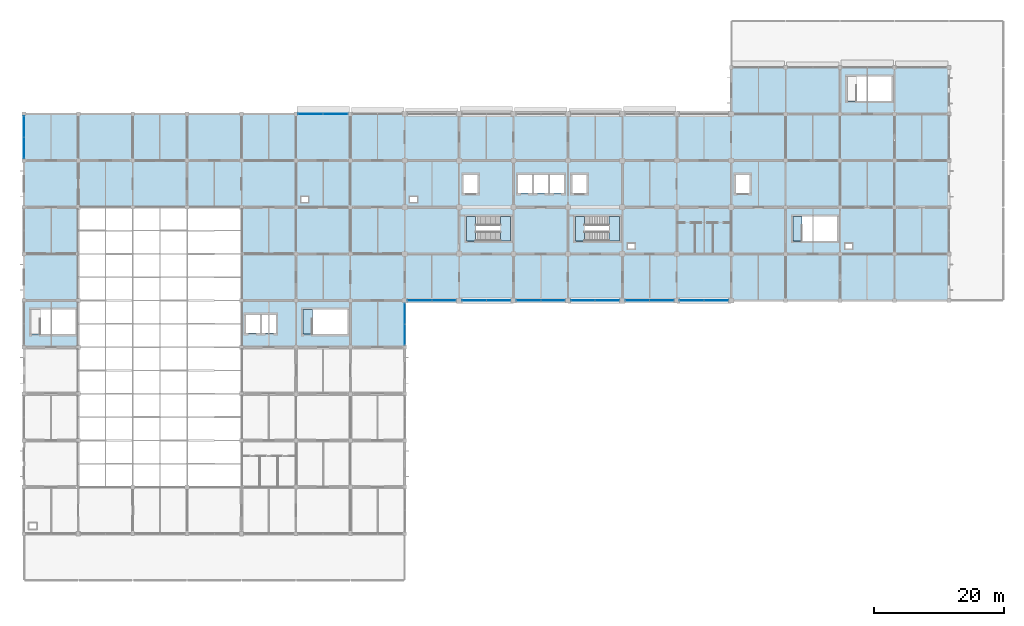
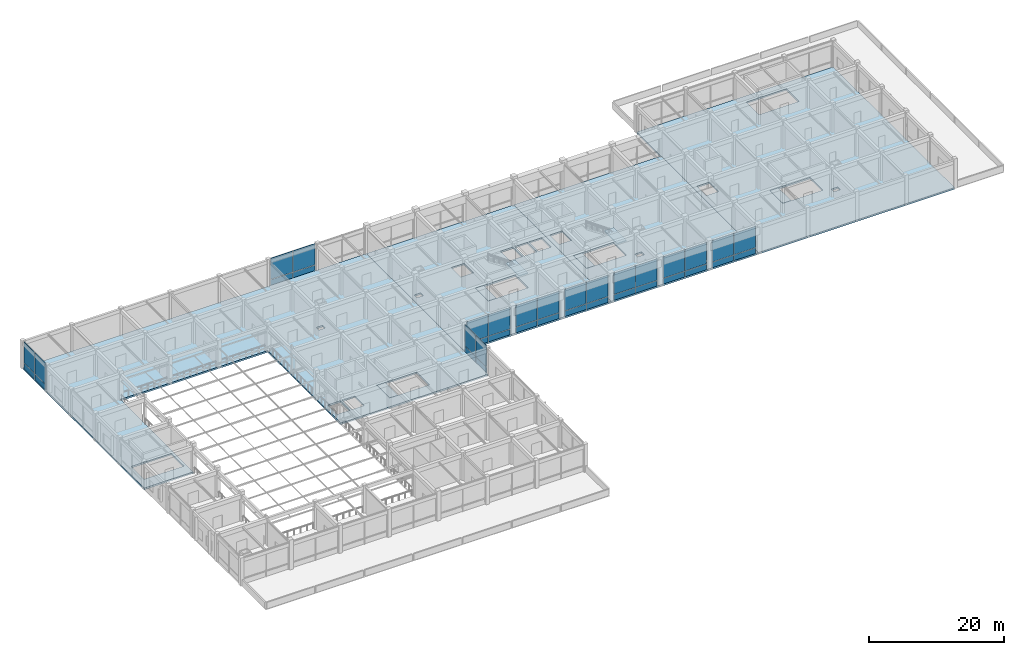
# One storey, part 21 of 38: 36 plates, 10 slabs, 11 elements without a shape of their own.
"""IFC4 building model written with IfcOpenShell, lengths in metres."""

from ifc_helpers import new_model, si_unit, derived_unit, direction, frame, origin, origin_2d, place, context, subcontext, project, spatial, polyline, rectangle, outline, extrude, material, layer, layer_set, type_object, element, aggregate, save


model = new_model("IFC4")

# Units and contexts
model_context = context("Model", 3, precision=1e-05, world=origin(), true_north=direction((0.0, 1.0)))
body_context = subcontext(model_context, "Body", "Model", "MODEL_VIEW")
ifc_project = project(units=[si_unit("LENGTHUNIT", "METRE"), si_unit("AREAUNIT", "SQUARE_METRE"), si_unit("VOLUMEUNIT", "CUBIC_METRE"), si_unit("PLANEANGLEUNIT", "RADIAN"), si_unit("MASSUNIT", "GRAM", prefix="KILO"), derived_unit("THERMALTRANSMITTANCEUNIT", [(si_unit("MASSUNIT", "GRAM", prefix="KILO"), 1), (si_unit("TIMEUNIT", "SECOND"), -3), (si_unit("THERMODYNAMICTEMPERATUREUNIT", "KELVIN"), -1)])], contexts=[model_context])

# Site, building, storey
site_placement = place(None, origin())
site = spatial("IfcSite", under=ifc_project, at=site_placement, CompositionType="ELEMENT")
building_placement = place(site_placement, origin())
building = spatial("IfcBuilding", under=site, at=building_placement, Name="Veldstrom Oceanarium and Marine Research Institute", CompositionType="ELEMENT")
storey_placement = place(building_placement, frame((0.0, 0.0, 16.800048828125)))
storey = spatial("IfcBuildingStorey", under=building, at=storey_placement, Name="L03", CompositionType="ELEMENT", Elevation=16.800048828125)

# Curtain wall, plates
ifc_material_1 = material(Name="Anodised Aluminium Framing", Category="aluminium")
curtain_wall_type_1 = type_object("IfcCurtainWallType", Name="ARC-CW-CW02", PredefinedType="USERDEFINED", material=ifc_material_1)
curtain_wall_1_placement = place(storey_placement, origin())
curtain_wall_1 = element("IfcCurtainWall", 1, at=curtain_wall_1_placement, inside=storey, type_object=curtain_wall_type_1, Name="Curtain Wall CW02 CW-L03-054", ObjectType="Curtain wall", PredefinedType="USERDEFINED")
ifc_material_2 = material(Name="Insulated Aluminium Spandrel", Category="aluminium")
ifc_layer_1 = layer(ifc_material_2, 0.044921875)
ifc_layer_set_1 = layer_set([ifc_layer_1], Name="ARC-PLT-CP02")
plate_type_1 = type_object("IfcPlateType", Name="ARC-PLT-CP02", PredefinedType="CURTAIN_PANEL", material=ifc_layer_set_1)
plate_1_placement = place(storey_placement, frame((52.669921875, 72.0, 0.02001953125), z_axis=(0.0, 0.0, 1.0), x_axis=(1.0, 0.0, 0.0)))
plate_1 = element("IfcPlate", 2, at=plate_1_placement, type_object=plate_type_1, Name="Curtain Spandrel Panel CW-L03-054-PNL-S1", PredefinedType="CURTAIN_PANEL", context=body_context, shape_type="SweptSolid", body=[
    extrude(rectangle(XDim=3.780029296875, YDim=0.044921875, at=origin_2d()), origin(), (0.0, 0.0, 1.0), 0.989990234375),
])
plate_2_placement = place(storey_placement, frame((56.530029296875, 72.0, 0.02001953125), z_axis=(0.0, 0.0, 1.0), x_axis=(1.0, 0.0, 0.0)))
plate_2 = element("IfcPlate", 3, at=plate_2_placement, type_object=plate_type_1, Name="Curtain Spandrel Panel CW-L03-054-PNL-S2", PredefinedType="CURTAIN_PANEL", context=body_context, shape_type="SweptSolid", body=[
    extrude(rectangle(XDim=3.780029296875, YDim=0.044921875, at=origin_2d()), origin(), (0.0, 0.0, 1.0), 0.989990234375),
])

curtain_wall_2_placement = place(storey_placement, origin())
curtain_wall_2 = element("IfcCurtainWall", 4, at=curtain_wall_2_placement, inside=storey, type_object=curtain_wall_type_1, Name="Curtain Wall CW02 CW-L03-060", ObjectType="Curtain wall", PredefinedType="USERDEFINED")
plate_3_placement = place(storey_placement, frame((69.513671875, 43.199951171875, 0.02001953125), z_axis=(0.0, 0.0, 1.0), x_axis=(1.0, 0.0, 0.0)))
plate_3 = element("IfcPlate", 5, at=plate_3_placement, type_object=plate_type_1, Name="Curtain Spandrel Panel CW-L03-060-PNL-S1", PredefinedType="CURTAIN_PANEL", context=body_context, shape_type="SweptSolid", body=[
    extrude(rectangle(XDim=3.66748046875, YDim=0.044921875, at=origin_2d()), origin(), (0.0, 0.0, 1.0), 0.989990234375),
])
plate_4_placement = place(storey_placement, frame((73.26123046875, 43.199951171875, 0.02001953125), z_axis=(0.0, 0.0, 1.0), x_axis=(1.0, 0.0, 0.0)))
plate_4 = element("IfcPlate", 6, at=plate_4_placement, type_object=plate_type_1, Name="Curtain Spandrel Panel CW-L03-060-PNL-S2", PredefinedType="CURTAIN_PANEL", context=body_context, shape_type="SweptSolid", body=[
    extrude(rectangle(XDim=3.66748046875, YDim=0.044921875, at=origin_2d()), origin(), (0.0, 0.0, 1.0), 0.989990234375),
])

curtain_wall_3_placement = place(storey_placement, origin())
curtain_wall_3 = element("IfcCurtainWall", 7, at=curtain_wall_3_placement, inside=storey, type_object=curtain_wall_type_1, Name="Curtain Wall CW02 CW-L03-062", ObjectType="Curtain wall", PredefinedType="USERDEFINED")
plate_5_placement = place(storey_placement, frame((77.938720703125, 43.199951171875, 0.02001953125), z_axis=(0.0, 0.0, 1.0), x_axis=(1.0, 0.0, 0.0)))
plate_5 = element("IfcPlate", 8, at=plate_5_placement, type_object=plate_type_1, Name="Curtain Spandrel Panel CW-L03-062-PNL-S1", PredefinedType="CURTAIN_PANEL", context=body_context, shape_type="SweptSolid", body=[
    extrude(rectangle(XDim=3.66748046875, YDim=0.044921875, at=origin_2d()), origin(), (0.0, 0.0, 1.0), 0.989990234375),
])
plate_6_placement = place(storey_placement, frame((81.686279296875, 43.199951171875, 0.02001953125), z_axis=(0.0, 0.0, 1.0), x_axis=(1.0, 0.0, 0.0)))
plate_6 = element("IfcPlate", 9, at=plate_6_placement, type_object=plate_type_1, Name="Curtain Spandrel Panel CW-L03-062-PNL-S2", PredefinedType="CURTAIN_PANEL", context=body_context, shape_type="SweptSolid", body=[
    extrude(rectangle(XDim=3.66748046875, YDim=0.044921875, at=origin_2d()), origin(), (0.0, 0.0, 1.0), 0.989990234375),
])

curtain_wall_4_placement = place(storey_placement, origin())
curtain_wall_4 = element("IfcCurtainWall", 10, at=curtain_wall_4_placement, inside=storey, type_object=curtain_wall_type_1, Name="Curtain Wall CW02 CW-L03-064", ObjectType="Curtain wall", PredefinedType="USERDEFINED")
plate_7_placement = place(storey_placement, frame((86.320068359375, 43.199951171875, 0.02001953125), z_axis=(0.0, 0.0, 1.0), x_axis=(1.0, 0.0, 0.0)))
plate_7 = element("IfcPlate", 11, at=plate_7_placement, type_object=plate_type_1, Name="Curtain Spandrel Panel CW-L03-064-PNL-S1", PredefinedType="CURTAIN_PANEL", context=body_context, shape_type="SweptSolid", body=[
    extrude(rectangle(XDim=3.679931640625, YDim=0.044921875, at=origin_2d()), origin(), (0.0, 0.0, 1.0), 0.989990234375),
])
plate_8_placement = place(storey_placement, frame((90.080078125, 43.199951171875, 0.02001953125), z_axis=(0.0, 0.0, 1.0), x_axis=(1.0, 0.0, 0.0)))
plate_8 = element("IfcPlate", 12, at=plate_8_placement, type_object=plate_type_1, Name="Curtain Spandrel Panel CW-L03-064-PNL-S2", PredefinedType="CURTAIN_PANEL", context=body_context, shape_type="SweptSolid", body=[
    extrude(rectangle(XDim=3.679931640625, YDim=0.044921875, at=origin_2d()), origin(), (0.0, 0.0, 1.0), 0.989990234375),
])

curtain_wall_5_placement = place(storey_placement, origin())
curtain_wall_5 = element("IfcCurtainWall", 13, at=curtain_wall_5_placement, inside=storey, type_object=curtain_wall_type_1, Name="Curtain Wall CW02 CW-L03-066", ObjectType="Curtain wall", PredefinedType="USERDEFINED")
plate_9_placement = place(storey_placement, frame((94.713623046875, 43.199951171875, 0.02001953125), z_axis=(0.0, 0.0, 1.0), x_axis=(1.0, 0.0, 0.0)))
plate_9 = element("IfcPlate", 14, at=plate_9_placement, type_object=plate_type_1, Name="Curtain Spandrel Panel CW-L03-066-PNL-S1", PredefinedType="CURTAIN_PANEL", context=body_context, shape_type="SweptSolid", body=[
    extrude(rectangle(XDim=3.66748046875, YDim=0.044921875, at=origin_2d()), origin(), (0.0, 0.0, 1.0), 0.989990234375),
])
plate_10_placement = place(storey_placement, frame((98.461181640625, 43.199951171875, 0.02001953125), z_axis=(0.0, 0.0, 1.0), x_axis=(1.0, 0.0, 0.0)))
plate_10 = element("IfcPlate", 15, at=plate_10_placement, type_object=plate_type_1, Name="Curtain Spandrel Panel CW-L03-066-PNL-S2", PredefinedType="CURTAIN_PANEL", context=body_context, shape_type="SweptSolid", body=[
    extrude(rectangle(XDim=3.66748046875, YDim=0.044921875, at=origin_2d()), origin(), (0.0, 0.0, 1.0), 0.989990234375),
])

curtain_wall_6_placement = place(storey_placement, origin())
curtain_wall_6 = element("IfcCurtainWall", 16, at=curtain_wall_6_placement, inside=storey, type_object=curtain_wall_type_1, Name="Curtain Wall CW02 CW-L03-068", ObjectType="Curtain wall", PredefinedType="USERDEFINED")
plate_11_placement = place(storey_placement, frame((103.138671875, 43.199951171875, 0.02001953125), z_axis=(0.0, 0.0, 1.0), x_axis=(1.0, 0.0, 0.0)))
plate_11 = element("IfcPlate", 17, at=plate_11_placement, type_object=plate_type_1, Name="Curtain Spandrel Panel CW-L03-068-PNL-S1", PredefinedType="CURTAIN_PANEL", context=body_context, shape_type="SweptSolid", body=[
    extrude(rectangle(XDim=3.66748046875, YDim=0.044921875, at=origin_2d()), origin(), (0.0, 0.0, 1.0), 0.989990234375),
])
plate_12_placement = place(storey_placement, frame((106.88623046875, 43.199951171875, 0.02001953125), z_axis=(0.0, 0.0, 1.0), x_axis=(1.0, 0.0, 0.0)))
plate_12 = element("IfcPlate", 18, at=plate_12_placement, type_object=plate_type_1, Name="Curtain Spandrel Panel CW-L03-068-PNL-S2", PredefinedType="CURTAIN_PANEL", context=body_context, shape_type="SweptSolid", body=[
    extrude(rectangle(XDim=3.66748046875, YDim=0.044921875, at=origin_2d()), origin(), (0.0, 0.0, 1.0), 0.989990234375),
])

curtain_wall_7_placement = place(storey_placement, origin())
curtain_wall_7 = element("IfcCurtainWall", 19, at=curtain_wall_7_placement, inside=storey, type_object=curtain_wall_type_1, Name="Curtain Wall CW02 CW-L03-070", ObjectType="Curtain wall", PredefinedType="USERDEFINED")
plate_13_placement = place(storey_placement, frame((111.52001953125, 43.199951171875, 0.02001953125), z_axis=(0.0, 0.0, 1.0), x_axis=(1.0, 0.0, 0.0)))
plate_13 = element("IfcPlate", 20, at=plate_13_placement, type_object=plate_type_1, Name="Curtain Spandrel Panel CW-L03-070-PNL-S1", PredefinedType="CURTAIN_PANEL", context=body_context, shape_type="SweptSolid", body=[
    extrude(rectangle(XDim=3.679931640625, YDim=0.044921875, at=origin_2d()), origin(), (0.0, 0.0, 1.0), 0.989990234375),
])
plate_14_placement = place(storey_placement, frame((115.280029296875, 43.199951171875, 0.02001953125), z_axis=(0.0, 0.0, 1.0), x_axis=(1.0, 0.0, 0.0)))
plate_14 = element("IfcPlate", 21, at=plate_14_placement, type_object=plate_type_1, Name="Curtain Spandrel Panel CW-L03-070-PNL-S2", PredefinedType="CURTAIN_PANEL", context=body_context, shape_type="SweptSolid", body=[
    extrude(rectangle(XDim=3.679931640625, YDim=0.044921875, at=origin_2d()), origin(), (0.0, 0.0, 1.0), 0.989990234375),
])

ifc_material_3 = material(Name="Anodised Aluminium Framing", Category="aluminium")
curtain_wall_type_2 = type_object("IfcCurtainWallType", Name="ARC-CW-CW06", PredefinedType="USERDEFINED", material=ifc_material_3)
curtain_wall_8_placement = place(storey_placement, origin())
curtain_wall_8 = element("IfcCurtainWall", 22, at=curtain_wall_8_placement, inside=storey, type_object=curtain_wall_type_2, Name="Curtain Wall CW06 CW-L03-048", ObjectType="Curtain wall", PredefinedType="USERDEFINED")
ifc_material_4 = material(Name="Insulated Aluminium Spandrel", Category="aluminium")
ifc_layer_2 = layer(ifc_material_4, 0.044921875)
ifc_layer_set_2 = layer_set([ifc_layer_2], Name="ARC-PLT-CP06")
plate_type_2 = type_object("IfcPlateType", Name="ARC-PLT-CP06", PredefinedType="CURTAIN_PANEL", material=ifc_layer_set_2)
plate_15_placement = place(storey_placement, frame((8.39990234375, 66.77001953125, 0.02001953125), z_axis=(0.0, 0.0, 1.0), x_axis=(0.0, 1.0, 0.0)))
plate_15 = element("IfcPlate", 23, at=plate_15_placement, type_object=plate_type_2, Name="Curtain Spandrel Panel CW-L03-048-PNL-S1", PredefinedType="CURTAIN_PANEL", context=body_context, shape_type="SweptSolid", body=[
    extrude(rectangle(XDim=3.179931640625, YDim=0.044921875, at=origin_2d()), origin(), (0.0, 0.0, 1.0), 0.989990234375),
])
plate_16_placement = place(storey_placement, frame((8.39990234375, 70.030029296875, 0.02001953125), z_axis=(0.0, 0.0, 1.0), x_axis=(0.0, 1.0, 0.0)))
plate_16 = element("IfcPlate", 24, at=plate_16_placement, type_object=plate_type_2, Name="Curtain Spandrel Panel CW-L03-048-PNL-S2", PredefinedType="CURTAIN_PANEL", context=body_context, shape_type="SweptSolid", body=[
    extrude(rectangle(XDim=3.179931640625, YDim=0.044921875, at=origin_2d()), origin(), (0.0, 0.0, 1.0), 0.989990234375),
])

curtain_wall_9_placement = place(storey_placement, origin())
curtain_wall_9 = element("IfcCurtainWall", 25, at=curtain_wall_9_placement, inside=storey, type_object=curtain_wall_type_2, Name="Curtain Wall CW06 CW-L03-058", ObjectType="Curtain wall", PredefinedType="USERDEFINED")
plate_17_placement = place(storey_placement, frame((67.199951171875, 37.945068359375, 0.02001953125), z_axis=(0.0, 0.0, 1.0), x_axis=(0.0, 1.0, 0.0)))
plate_17 = element("IfcPlate", 26, at=plate_17_placement, type_object=plate_type_2, Name="Curtain Spandrel Panel CW-L03-058-PNL-S1", PredefinedType="CURTAIN_PANEL", context=body_context, shape_type="SweptSolid", body=[
    extrude(rectangle(XDim=3.1298828125, YDim=0.044921875, at=origin_2d()), origin(), (0.0, 0.0, 1.0), 0.989990234375),
])
plate_18_placement = place(storey_placement, frame((67.199951171875, 41.155029296875, 0.02001953125), z_axis=(0.0, 0.0, 1.0), x_axis=(0.0, 1.0, 0.0)))
plate_18 = element("IfcPlate", 27, at=plate_18_placement, type_object=plate_type_2, Name="Curtain Spandrel Panel CW-L03-058-PNL-S2", PredefinedType="CURTAIN_PANEL", context=body_context, shape_type="SweptSolid", body=[
    extrude(rectangle(XDim=3.1298828125, YDim=0.044921875, at=origin_2d()), origin(), (0.0, 0.0, 1.0), 0.989990234375),
])

# Plate
ifc_material_5 = material(Name="Double Glazed Low-E IGU", Category="glass")
ifc_layer_3 = layer(ifc_material_5, 0.035888671875)
ifc_layer_set_3 = layer_set([ifc_layer_3], Name="ARC-PLT-CP09")
plate_type_3 = type_object("IfcPlateType", Name="ARC-PLT-CP09", PredefinedType="CURTAIN_PANEL", material=ifc_layer_set_3)
plate_19_placement = place(storey_placement, frame((52.669921875, 72.0, 1.08984375), z_axis=(0.0, 0.0, 1.0), x_axis=(1.0, 0.0, 0.0)))
plate_19 = element("IfcPlate", 28, at=plate_19_placement, type_object=plate_type_3, Name="Curtain Vision Panel CW-L03-054-PNL-V1", PredefinedType="CURTAIN_PANEL", context=body_context, shape_type="SweptSolid", body=[
    extrude(rectangle(XDim=3.780029296875, YDim=0.035888671875, at=origin_2d()), origin(), (0.0, 0.0, 1.0), 3.840087890625),
])

plate_20_placement = place(storey_placement, frame((56.530029296875, 72.0, 1.08984375), z_axis=(0.0, 0.0, 1.0), x_axis=(1.0, 0.0, 0.0)))
plate_20 = element("IfcPlate", 29, at=plate_20_placement, type_object=plate_type_3, Name="Curtain Vision Panel CW-L03-054-PNL-V2", PredefinedType="CURTAIN_PANEL", context=body_context, shape_type="SweptSolid", body=[
    extrude(rectangle(XDim=3.780029296875, YDim=0.035888671875, at=origin_2d()), origin(), (0.0, 0.0, 1.0), 3.840087890625),
])

aggregate(curtain_wall_1, [plate_1, plate_19, plate_2, plate_20])

plate_21_placement = place(storey_placement, frame((69.513671875, 43.199951171875, 1.08984375), z_axis=(0.0, 0.0, 1.0), x_axis=(1.0, 0.0, 0.0)))
plate_21 = element("IfcPlate", 30, at=plate_21_placement, type_object=plate_type_3, Name="Curtain Vision Panel CW-L03-060-PNL-V1", PredefinedType="CURTAIN_PANEL", context=body_context, shape_type="SweptSolid", body=[
    extrude(rectangle(XDim=3.66748046875, YDim=0.035888671875, at=origin_2d()), origin(), (0.0, 0.0, 1.0), 3.840087890625),
])

plate_22_placement = place(storey_placement, frame((73.26123046875, 43.199951171875, 1.08984375), z_axis=(0.0, 0.0, 1.0), x_axis=(1.0, 0.0, 0.0)))
plate_22 = element("IfcPlate", 31, at=plate_22_placement, type_object=plate_type_3, Name="Curtain Vision Panel CW-L03-060-PNL-V2", PredefinedType="CURTAIN_PANEL", context=body_context, shape_type="SweptSolid", body=[
    extrude(rectangle(XDim=3.66748046875, YDim=0.035888671875, at=origin_2d()), origin(), (0.0, 0.0, 1.0), 3.840087890625),
])

aggregate(curtain_wall_2, [plate_3, plate_21, plate_4, plate_22])

plate_23_placement = place(storey_placement, frame((77.938720703125, 43.199951171875, 1.08984375), z_axis=(0.0, 0.0, 1.0), x_axis=(1.0, 0.0, 0.0)))
plate_23 = element("IfcPlate", 32, at=plate_23_placement, type_object=plate_type_3, Name="Curtain Vision Panel CW-L03-062-PNL-V1", PredefinedType="CURTAIN_PANEL", context=body_context, shape_type="SweptSolid", body=[
    extrude(rectangle(XDim=3.66748046875, YDim=0.035888671875, at=origin_2d()), origin(), (0.0, 0.0, 1.0), 3.840087890625),
])

plate_24_placement = place(storey_placement, frame((81.686279296875, 43.199951171875, 1.08984375), z_axis=(0.0, 0.0, 1.0), x_axis=(1.0, 0.0, 0.0)))
plate_24 = element("IfcPlate", 33, at=plate_24_placement, type_object=plate_type_3, Name="Curtain Vision Panel CW-L03-062-PNL-V2", PredefinedType="CURTAIN_PANEL", context=body_context, shape_type="SweptSolid", body=[
    extrude(rectangle(XDim=3.66748046875, YDim=0.035888671875, at=origin_2d()), origin(), (0.0, 0.0, 1.0), 3.840087890625),
])

aggregate(curtain_wall_3, [plate_5, plate_23, plate_6, plate_24])

plate_25_placement = place(storey_placement, frame((86.320068359375, 43.199951171875, 1.08984375), z_axis=(0.0, 0.0, 1.0), x_axis=(1.0, 0.0, 0.0)))
plate_25 = element("IfcPlate", 34, at=plate_25_placement, type_object=plate_type_3, Name="Curtain Vision Panel CW-L03-064-PNL-V1", PredefinedType="CURTAIN_PANEL", context=body_context, shape_type="SweptSolid", body=[
    extrude(rectangle(XDim=3.679931640625, YDim=0.035888671875, at=origin_2d()), origin(), (0.0, 0.0, 1.0), 3.840087890625),
])

plate_26_placement = place(storey_placement, frame((90.080078125, 43.199951171875, 1.08984375), z_axis=(0.0, 0.0, 1.0), x_axis=(1.0, 0.0, 0.0)))
plate_26 = element("IfcPlate", 35, at=plate_26_placement, type_object=plate_type_3, Name="Curtain Vision Panel CW-L03-064-PNL-V2", PredefinedType="CURTAIN_PANEL", context=body_context, shape_type="SweptSolid", body=[
    extrude(rectangle(XDim=3.679931640625, YDim=0.035888671875, at=origin_2d()), origin(), (0.0, 0.0, 1.0), 3.840087890625),
])

aggregate(curtain_wall_4, [plate_7, plate_25, plate_8, plate_26])

plate_27_placement = place(storey_placement, frame((94.713623046875, 43.199951171875, 1.08984375), z_axis=(0.0, 0.0, 1.0), x_axis=(1.0, 0.0, 0.0)))
plate_27 = element("IfcPlate", 36, at=plate_27_placement, type_object=plate_type_3, Name="Curtain Vision Panel CW-L03-066-PNL-V1", PredefinedType="CURTAIN_PANEL", context=body_context, shape_type="SweptSolid", body=[
    extrude(rectangle(XDim=3.66748046875, YDim=0.035888671875, at=origin_2d()), origin(), (0.0, 0.0, 1.0), 3.840087890625),
])

plate_28_placement = place(storey_placement, frame((98.461181640625, 43.199951171875, 1.08984375), z_axis=(0.0, 0.0, 1.0), x_axis=(1.0, 0.0, 0.0)))
plate_28 = element("IfcPlate", 37, at=plate_28_placement, type_object=plate_type_3, Name="Curtain Vision Panel CW-L03-066-PNL-V2", PredefinedType="CURTAIN_PANEL", context=body_context, shape_type="SweptSolid", body=[
    extrude(rectangle(XDim=3.66748046875, YDim=0.035888671875, at=origin_2d()), origin(), (0.0, 0.0, 1.0), 3.840087890625),
])

aggregate(curtain_wall_5, [plate_9, plate_27, plate_10, plate_28])

plate_29_placement = place(storey_placement, frame((103.138671875, 43.199951171875, 1.08984375), z_axis=(0.0, 0.0, 1.0), x_axis=(1.0, 0.0, 0.0)))
plate_29 = element("IfcPlate", 38, at=plate_29_placement, type_object=plate_type_3, Name="Curtain Vision Panel CW-L03-068-PNL-V1", PredefinedType="CURTAIN_PANEL", context=body_context, shape_type="SweptSolid", body=[
    extrude(rectangle(XDim=3.66748046875, YDim=0.035888671875, at=origin_2d()), origin(), (0.0, 0.0, 1.0), 3.840087890625),
])

plate_30_placement = place(storey_placement, frame((106.88623046875, 43.199951171875, 1.08984375), z_axis=(0.0, 0.0, 1.0), x_axis=(1.0, 0.0, 0.0)))
plate_30 = element("IfcPlate", 39, at=plate_30_placement, type_object=plate_type_3, Name="Curtain Vision Panel CW-L03-068-PNL-V2", PredefinedType="CURTAIN_PANEL", context=body_context, shape_type="SweptSolid", body=[
    extrude(rectangle(XDim=3.66748046875, YDim=0.035888671875, at=origin_2d()), origin(), (0.0, 0.0, 1.0), 3.840087890625),
])

aggregate(curtain_wall_6, [plate_11, plate_29, plate_12, plate_30])

plate_31_placement = place(storey_placement, frame((111.52001953125, 43.199951171875, 1.08984375), z_axis=(0.0, 0.0, 1.0), x_axis=(1.0, 0.0, 0.0)))
plate_31 = element("IfcPlate", 40, at=plate_31_placement, type_object=plate_type_3, Name="Curtain Vision Panel CW-L03-070-PNL-V1", PredefinedType="CURTAIN_PANEL", context=body_context, shape_type="SweptSolid", body=[
    extrude(rectangle(XDim=3.679931640625, YDim=0.035888671875, at=origin_2d()), origin(), (0.0, 0.0, 1.0), 3.840087890625),
])

plate_32_placement = place(storey_placement, frame((115.280029296875, 43.199951171875, 1.08984375), z_axis=(0.0, 0.0, 1.0), x_axis=(1.0, 0.0, 0.0)))
plate_32 = element("IfcPlate", 41, at=plate_32_placement, type_object=plate_type_3, Name="Curtain Vision Panel CW-L03-070-PNL-V2", PredefinedType="CURTAIN_PANEL", context=body_context, shape_type="SweptSolid", body=[
    extrude(rectangle(XDim=3.679931640625, YDim=0.035888671875, at=origin_2d()), origin(), (0.0, 0.0, 1.0), 3.840087890625),
])

aggregate(curtain_wall_7, [plate_13, plate_31, plate_14, plate_32])

ifc_material_6 = material(Name="Double Glazed Low-E IGU", Category="glass")
ifc_layer_4 = layer(ifc_material_6, 0.035888671875)
ifc_layer_set_4 = layer_set([ifc_layer_4], Name="ARC-PLT-CP10")
plate_type_4 = type_object("IfcPlateType", Name="ARC-PLT-CP10", PredefinedType="CURTAIN_PANEL", material=ifc_layer_set_4)
plate_33_placement = place(storey_placement, frame((8.39990234375, 66.77001953125, 1.08984375), z_axis=(0.0, 0.0, 1.0), x_axis=(0.0, 1.0, 0.0)))
plate_33 = element("IfcPlate", 42, at=plate_33_placement, type_object=plate_type_4, Name="Curtain Vision Panel CW-L03-048-PNL-V1", PredefinedType="CURTAIN_PANEL", context=body_context, shape_type="SweptSolid", body=[
    extrude(rectangle(XDim=3.179931640625, YDim=0.035888671875, at=origin_2d()), origin(), (0.0, 0.0, 1.0), 3.840087890625),
])

plate_34_placement = place(storey_placement, frame((8.39990234375, 70.030029296875, 1.08984375), z_axis=(0.0, 0.0, 1.0), x_axis=(0.0, 1.0, 0.0)))
plate_34 = element("IfcPlate", 43, at=plate_34_placement, type_object=plate_type_4, Name="Curtain Vision Panel CW-L03-048-PNL-V2", PredefinedType="CURTAIN_PANEL", context=body_context, shape_type="SweptSolid", body=[
    extrude(rectangle(XDim=3.179931640625, YDim=0.035888671875, at=origin_2d()), origin(), (0.0, 0.0, 1.0), 3.840087890625),
])

aggregate(curtain_wall_8, [plate_15, plate_33, plate_16, plate_34])

plate_35_placement = place(storey_placement, frame((67.199951171875, 37.945068359375, 1.08984375), z_axis=(0.0, 0.0, 1.0), x_axis=(0.0, 1.0, 0.0)))
plate_35 = element("IfcPlate", 44, at=plate_35_placement, type_object=plate_type_4, Name="Curtain Vision Panel CW-L03-058-PNL-V1", PredefinedType="CURTAIN_PANEL", context=body_context, shape_type="SweptSolid", body=[
    extrude(rectangle(XDim=3.1298828125, YDim=0.035888671875, at=origin_2d()), origin(), (0.0, 0.0, 1.0), 3.840087890625),
])

plate_36_placement = place(storey_placement, frame((67.199951171875, 41.155029296875, 1.08984375), z_axis=(0.0, 0.0, 1.0), x_axis=(0.0, 1.0, 0.0)))
plate_36 = element("IfcPlate", 45, at=plate_36_placement, type_object=plate_type_4, Name="Curtain Vision Panel CW-L03-058-PNL-V2", PredefinedType="CURTAIN_PANEL", context=body_context, shape_type="SweptSolid", body=[
    extrude(rectangle(XDim=3.1298828125, YDim=0.035888671875, at=origin_2d()), origin(), (0.0, 0.0, 1.0), 3.840087890625),
])

aggregate(curtain_wall_9, [plate_17, plate_35, plate_18, plate_36])

# Slabs
ifc_material_7 = material(Name="Concrete C40/50", Category="concrete")
ifc_layer_5 = layer(ifc_material_7, 0.300048828125)
ifc_layer_set_5 = layer_set([ifc_layer_5], Name="STR-SLB-FL0300")
slab_type_1 = type_object("IfcSlabType", Name="STR-SLB-FL0300", PredefinedType="FLOOR", material=ifc_layer_set_5)
slab_1_placement = place(storey_placement, frame((0.0, 0.0, -0.300048828125)))
element("IfcSlab", 46, at=slab_1_placement, inside=storey, type_object=slab_type_1, Name="Slab SF-300 L03 WN", PredefinedType="FLOOR", context=body_context, shape_type="SweptSolid", body=[
    extrude(outline(polyline([(67.199951171875, 36.0), (58.800048828125, 36.0), (50.39990234375, 36.0), (42.0, 36.0), (42.0, 43.199951171875), (42.0, 50.39990234375), (42.0, 57.60009765625), (33.60009765625, 57.60009765625), (25.199951171875, 57.60009765625), (16.800048828125, 57.60009765625), (16.800048828125, 50.39990234375), (16.800048828125, 43.199951171875), (16.800048828125, 36.0), (8.39990234375, 36.0), (8.39990234375, 43.199951171875), (8.39990234375, 50.39990234375), (8.39990234375, 57.60009765625), (8.39990234375, 64.800048828125), (8.39990234375, 72.0), (16.800048828125, 72.0), (25.199951171875, 72.0), (33.60009765625, 72.0), (42.0, 72.0), (50.39990234375, 72.0), (58.800048828125, 72.0), (67.199951171875, 72.0), (67.199951171875, 64.800048828125), (67.199951171875, 57.60009765625), (67.199951171875, 50.39990234375), (67.199951171875, 43.199951171875), (67.199951171875, 36.0)]), holes=[polyline([(16.360107421875, 41.800048828125), (9.52001953125, 41.800048828125), (9.52001953125, 38.0), (16.360107421875, 38.0), (16.360107421875, 41.800048828125)]), polyline([(51.52001953125, 38.0), (58.360107421875, 38.0), (58.360107421875, 41.800048828125), (51.52001953125, 41.800048828125), (51.52001953125, 38.0)]), polyline([(44.85009765625, 38.199951171875), (44.85009765625, 41.0), (42.699951171875, 41.0), (42.699951171875, 38.199951171875), (44.85009765625, 38.199951171875)]), polyline([(45.14990234375, 38.199951171875), (47.300048828125, 38.199951171875), (47.300048828125, 41.0), (45.14990234375, 41.0), (45.14990234375, 38.199951171875)]), polyline([(52.300048828125, 59.199951171875), (51.199951171875, 59.199951171875), (51.199951171875, 58.39990234375), (52.300048828125, 58.39990234375), (52.300048828125, 59.199951171875)])]), origin(), (0.0, 0.0, 1.0), 0.300048828125),
])
slab_2_placement = place(storey_placement, frame((0.0, 0.0, -0.300048828125)))
element("IfcSlab", 47, at=slab_2_placement, inside=storey, type_object=slab_type_1, Name="Slab SF-300 L03 CW", PredefinedType="FLOOR", context=body_context, shape_type="SweptSolid", body=[
    extrude(outline(polyline([(67.199951171875, 64.800048828125), (67.199951171875, 72.0), (75.60009765625, 72.0), (84.0, 72.0), (92.39990234375, 72.0), (92.39990234375, 64.800048828125), (92.39990234375, 57.60009765625), (92.39990234375, 50.39990234375), (92.39990234375, 43.199951171875), (84.0, 43.199951171875), (75.60009765625, 43.199951171875), (67.199951171875, 43.199951171875), (67.199951171875, 50.39990234375), (67.199951171875, 57.60009765625), (67.199951171875, 64.800048828125)]), holes=[polyline([(76.719970703125, 52.39990234375), (83.56005859375, 52.39990234375), (83.56005859375, 56.199951171875), (76.719970703125, 56.199951171875), (76.719970703125, 52.39990234375)]), polyline([(78.449951171875, 62.60009765625), (76.300048828125, 62.60009765625), (76.300048828125, 59.800048828125), (78.449951171875, 59.800048828125), (78.449951171875, 62.60009765625)]), polyline([(84.699951171875, 59.800048828125), (86.85009765625, 59.800048828125), (86.85009765625, 62.60009765625), (84.699951171875, 62.60009765625), (84.699951171875, 59.800048828125)]), polyline([(87.14990234375, 62.60009765625), (87.14990234375, 59.800048828125), (89.300048828125, 59.800048828125), (89.300048828125, 62.60009765625), (87.14990234375, 62.60009765625)]), polyline([(91.75, 62.60009765625), (89.60009765625, 62.60009765625), (89.60009765625, 59.800048828125), (91.75, 59.800048828125), (91.75, 62.60009765625)]), polyline([(69.10009765625, 59.199951171875), (68.0, 59.199951171875), (68.0, 58.39990234375), (69.10009765625, 58.39990234375), (69.10009765625, 59.199951171875)])]), origin(), (0.0, 0.0, 1.0), 0.300048828125),
])
slab_3_placement = place(storey_placement, frame((0.0, 0.0, -0.300048828125)))
element("IfcSlab", 48, at=slab_3_placement, inside=storey, type_object=slab_type_1, Name="Slab SF-300 L03 CE", PredefinedType="FLOOR", context=body_context, shape_type="SweptSolid", body=[
    extrude(outline(polyline([(92.39990234375, 57.60009765625), (92.39990234375, 64.800048828125), (92.39990234375, 72.0), (100.800048828125, 72.0), (109.199951171875, 72.0), (117.60009765625, 72.0), (117.60009765625, 64.800048828125), (117.60009765625, 57.60009765625), (117.60009765625, 50.39990234375), (117.60009765625, 43.199951171875), (109.199951171875, 43.199951171875), (100.800048828125, 43.199951171875), (92.39990234375, 43.199951171875), (92.39990234375, 50.39990234375), (92.39990234375, 57.60009765625)]), holes=[polyline([(93.52001953125, 56.199951171875), (93.52001953125, 52.39990234375), (100.360107421875, 52.39990234375), (100.360107421875, 56.199951171875), (93.52001953125, 56.199951171875)]), polyline([(95.25, 59.800048828125), (95.25, 62.60009765625), (93.10009765625, 62.60009765625), (93.10009765625, 59.800048828125), (95.25, 59.800048828125)]), polyline([(102.699951171875, 52.0), (101.60009765625, 52.0), (101.60009765625, 51.199951171875), (102.699951171875, 51.199951171875), (102.699951171875, 52.0)])]), origin(), (0.0, 0.0, 1.0), 0.300048828125),
])
slab_4_placement = place(storey_placement, frame((0.0, 0.0, -0.300048828125)))
element("IfcSlab", 49, at=slab_4_placement, inside=storey, type_object=slab_type_1, Name="Slab SF-300 L03 ES", PredefinedType="FLOOR", context=body_context, shape_type="SweptSolid", body=[
    extrude(outline(polyline([(117.60009765625, 43.199951171875), (117.60009765625, 50.39990234375), (117.60009765625, 57.60009765625), (117.60009765625, 64.800048828125), (117.60009765625, 72.0), (117.60009765625, 79.199951171875), (126.0, 79.199951171875), (134.39990234375, 79.199951171875), (142.800048828125, 79.199951171875), (151.199951171875, 79.199951171875), (151.199951171875, 72.0), (151.199951171875, 64.800048828125), (151.199951171875, 57.60009765625), (151.199951171875, 50.39990234375), (151.199951171875, 43.199951171875), (142.800048828125, 43.199951171875), (134.39990234375, 43.199951171875), (126.0, 43.199951171875), (117.60009765625, 43.199951171875)]), holes=[polyline([(133.9599609375, 52.39990234375), (133.9599609375, 56.199951171875), (127.1201171875, 56.199951171875), (127.1201171875, 52.39990234375), (133.9599609375, 52.39990234375)]), polyline([(135.52001953125, 77.800048828125), (135.52001953125, 74.0), (142.360107421875, 74.0), (142.360107421875, 77.800048828125), (135.52001953125, 77.800048828125)]), polyline([(118.300048828125, 62.60009765625), (118.300048828125, 59.800048828125), (120.449951171875, 59.800048828125), (120.449951171875, 62.60009765625), (118.300048828125, 62.60009765625)]), polyline([(136.300048828125, 52.0), (135.199951171875, 52.0), (135.199951171875, 51.199951171875), (136.300048828125, 51.199951171875), (136.300048828125, 52.0)])]), origin(), (0.0, 0.0, 1.0), 0.300048828125),
])

# Stair, slab
ifc_material_8 = material(Name="Concrete C40/50", Category="concrete")
stair_type = type_object("IfcStairType", Name="ARC-STR-ST-540", PredefinedType="TWO_STRAIGHT_RUN_STAIR", material=ifc_material_8)
stair_1_placement = place(storey_placement, origin())
stair_1 = element("IfcStair", 50, at=stair_1_placement, inside=storey, type_object=stair_type, Name="Dog-Leg Escape Stair ST1-L03", PredefinedType="TWO_STRAIGHT_RUN_STAIR")
ifc_material_9 = material(Name="Concrete C40/50", Category="concrete")
ifc_layer_6 = layer(ifc_material_9, 0.179931640625)
ifc_layer_set_6 = layer_set([ifc_layer_6], Name="STR-SLB-LD180")
slab_type_2 = type_object("IfcSlabType", Name="STR-SLB-LD180", PredefinedType="LANDING", material=ifc_layer_set_6)
slab_5_placement = place(storey_placement, frame((0.0, 0.0, 2.52001953125)))
slab_5 = element("IfcSlab", 51, at=slab_5_placement, type_object=slab_type_2, Name="Stair Half-Landing ST1 L03", PredefinedType="LANDING", context=body_context, shape_type="SweptSolid", body=[
    extrude(outline(polyline([(81.965087890625, 52.39990234375), (83.56005859375, 52.39990234375), (83.56005859375, 56.199951171875), (81.965087890625, 56.199951171875), (81.965087890625, 52.39990234375)])), origin(), (0.0, 0.0, 1.0), 0.179931640625),
])
aggregate(stair_1, [slab_5])

stair_2_placement = place(storey_placement, origin())
stair_2 = element("IfcStair", 52, at=stair_2_placement, inside=storey, type_object=stair_type, Name="Dog-Leg Escape Stair ST2-L03", PredefinedType="TWO_STRAIGHT_RUN_STAIR")
slab_6_placement = place(storey_placement, frame((0.0, 0.0, 2.52001953125)))
slab_6 = element("IfcSlab", 53, at=slab_6_placement, type_object=slab_type_2, Name="Stair Half-Landing ST2 L03", PredefinedType="LANDING", context=body_context, shape_type="SweptSolid", body=[
    extrude(outline(polyline([(98.764892578125, 52.39990234375), (100.360107421875, 52.39990234375), (100.360107421875, 56.199951171875), (98.764892578125, 56.199951171875), (98.764892578125, 52.39990234375)])), origin(), (0.0, 0.0, 1.0), 0.179931640625),
])
aggregate(stair_2, [slab_6])

# Slabs
ifc_material_10 = material(Name="Concrete C40/50", Category="concrete")
ifc_layer_7 = layer(ifc_material_10, 0.199951171875)
ifc_layer_set_7 = layer_set([ifc_layer_7], Name="STR-SLB-LD200")
slab_type_3 = type_object("IfcSlabType", Name="STR-SLB-LD200", PredefinedType="LANDING", material=ifc_layer_set_7)
slab_7_placement = place(storey_placement, frame((0.0, 0.0, -0.199951171875)))
element("IfcSlab", 54, at=slab_7_placement, inside=storey, type_object=slab_type_3, Name="Stair Floor Landing ST1 L03", PredefinedType="LANDING", context=body_context, shape_type="SweptSolid", body=[
    extrude(outline(polyline([(76.719970703125, 52.39990234375), (78.139892578125, 52.39990234375), (78.139892578125, 56.199951171875), (76.719970703125, 56.199951171875), (76.719970703125, 52.39990234375)])), origin(), (0.0, 0.0, 1.0), 0.199951171875),
])
slab_8_placement = place(storey_placement, frame((0.0, 0.0, -0.199951171875)))
element("IfcSlab", 55, at=slab_8_placement, inside=storey, type_object=slab_type_3, Name="Stair Floor Landing ST2 L03", PredefinedType="LANDING", context=body_context, shape_type="SweptSolid", body=[
    extrude(outline(polyline([(93.52001953125, 52.39990234375), (94.93994140625, 52.39990234375), (94.93994140625, 56.199951171875), (93.52001953125, 56.199951171875), (93.52001953125, 52.39990234375)])), origin(), (0.0, 0.0, 1.0), 0.199951171875),
])
slab_9_placement = place(storey_placement, frame((0.0, 0.0, -0.199951171875)))
element("IfcSlab", 56, at=slab_9_placement, inside=storey, type_object=slab_type_3, Name="Stair Floor Landing ST4 L03", PredefinedType="LANDING", context=body_context, shape_type="SweptSolid", body=[
    extrude(outline(polyline([(127.1201171875, 52.39990234375), (128.5400390625, 52.39990234375), (128.5400390625, 56.199951171875), (127.1201171875, 56.199951171875), (127.1201171875, 52.39990234375)])), origin(), (0.0, 0.0, 1.0), 0.199951171875),
])
slab_10_placement = place(storey_placement, frame((0.0, 0.0, -0.199951171875)))
element("IfcSlab", 57, at=slab_10_placement, inside=storey, type_object=slab_type_3, Name="Stair Floor Landing ST6 L03", PredefinedType="LANDING", context=body_context, shape_type="SweptSolid", body=[
    extrude(outline(polyline([(51.52001953125, 38.0), (52.93994140625, 38.0), (52.93994140625, 41.800048828125), (51.52001953125, 41.800048828125), (51.52001953125, 38.0)])), origin(), (0.0, 0.0, 1.0), 0.199951171875),
])

save(model, "model.ifc")
